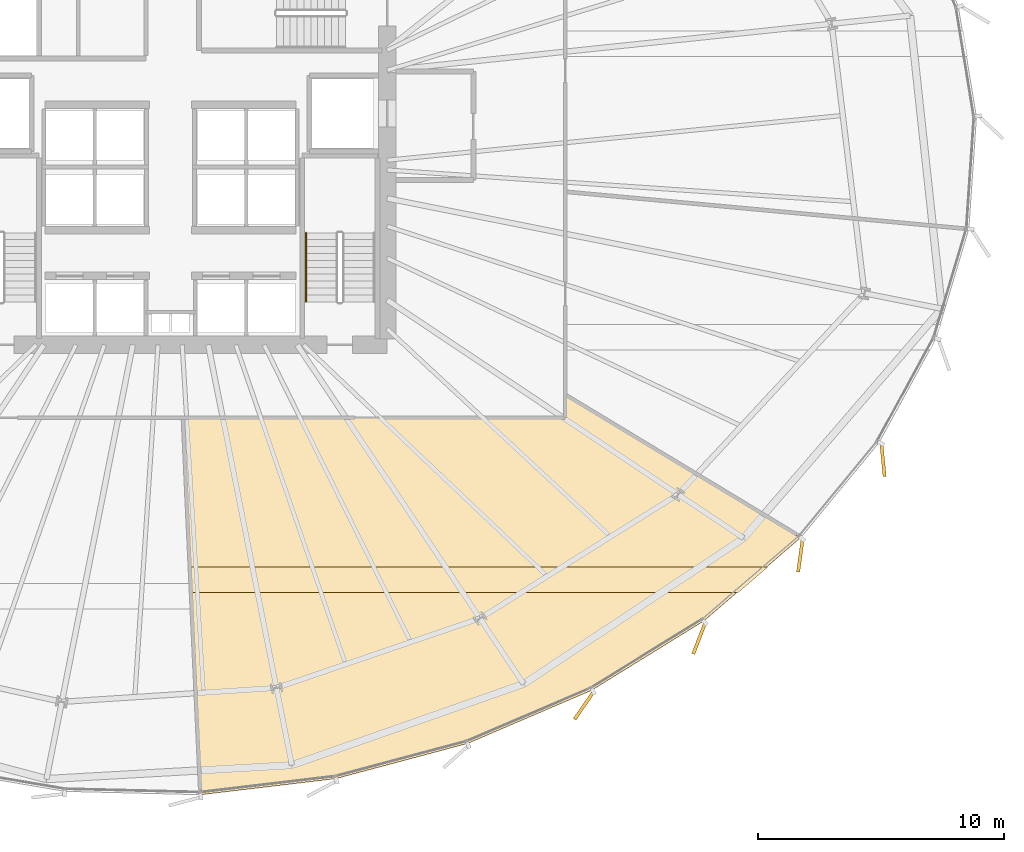
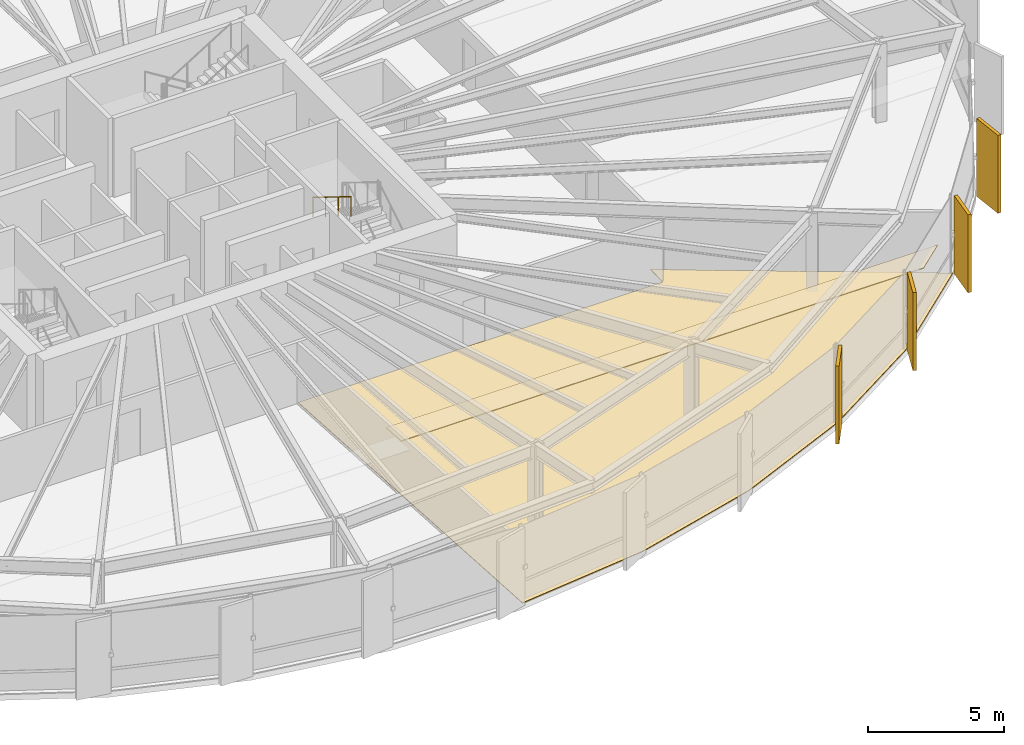
# One storey, part 35 of 39: 6 coverings, 1 railing.
"""IFC4 building model written with IfcOpenShell, lengths in metres."""

from ifc_helpers import new_model, si_unit, direction, frame, origin, origin_2d, place, context, subcontext, project, spatial, polyline, rectangle, circle, outline, extrude, source, transform, mapped, material, layer, layer_set, type_object, element, save


model = new_model("IFC4")

# Units and contexts
model_context = context("Model", 3, precision=1e-05, world=origin(), true_north=direction((0.0, 1.0)))
body_context = subcontext(model_context, "Body", "Model", "MODEL_VIEW")
ifc_project = project(units=[si_unit("LENGTHUNIT", "METRE"), si_unit("AREAUNIT", "SQUARE_METRE"), si_unit("VOLUMEUNIT", "CUBIC_METRE"), si_unit("PLANEANGLEUNIT", "RADIAN"), si_unit("MASSUNIT", "GRAM", prefix="KILO"), si_unit("THERMODYNAMICTEMPERATUREUNIT", "KELVIN")], contexts=[model_context])

# Site, building, storey
site_placement = place(None, origin())
site = spatial("IfcSite", under=ifc_project, at=site_placement, CompositionType="ELEMENT")
building_placement = place(site_placement, origin())
building = spatial("IfcBuilding", under=site, at=building_placement, Name="Kethvar Cultural Tower", CompositionType="ELEMENT")
storey_placement = place(building_placement, frame((0.0, 0.0, 41.0)))
storey = spatial("IfcBuildingStorey", under=building, at=storey_placement, Name="L09", CompositionType="ELEMENT", Elevation=41.0)

# Coverings
ifc_material_1 = material(Name="Acoustic Mineral Fibre Ceiling")
ifc_layer_1 = layer(ifc_material_1, 0.0400390625, Name="Acoustic Mineral Fibre Ceiling")
ifc_layer_set_1 = layer_set([ifc_layer_1], Name="Acoustic Mineral Fibre Ceiling (40 mm)")
covering_type_1 = type_object("IfcCoveringType", Name="CV-ACOUSTIC-CEIL", PredefinedType="CEILING", material=ifc_layer_set_1)
covering_1_placement = place(storey_placement, frame((0.0, 0.0, 2.449951171875)))
element("IfcCovering", 1, at=covering_1_placement, inside=storey, type_object=covering_type_1, Name="L09 Room 02 Acoustic Ceiling Panel", PredefinedType="CEILING", context=body_context, shape_type="SweptSolid", body=[
    extrude(outline(polyline([(69.861083984375, 10.03564453125), (47.61767578125, 10.03564453125), (47.569091796875, 11.065673828125), (71.05810546875, 11.065673828125), (69.861083984375, 10.03564453125)])), origin(), (0.0, 0.0, 1.0), 0.0400390625),
])
ifc_material_2 = material(Name="Honed Warm Limestone", Category="masonry")
ifc_layer_2 = layer(ifc_material_2, 0.030029296875, Name="Honed Warm Limestone", Category="masonry")
ifc_layer_set_2 = layer_set([ifc_layer_2], Name="Honed Warm Limestone (30 mm)")
covering_type_2 = type_object("IfcCoveringType", Name="CV-STONE-FLOOR", PredefinedType="FLOORING", material=ifc_layer_set_2)
covering_2_placement = place(storey_placement, origin())
element("IfcCovering", 2, at=covering_2_placement, inside=storey, type_object=covering_type_2, Name="L09 Room 02 Floor Finish", PredefinedType="FLOORING", context=body_context, shape_type="SweptSolid", body=[
    extrude(outline(polyline([(72.3837890625, 12.259033203125), (68.457275390625, 8.880615234375), (63.892578125, 6.06201171875), (58.862548828125, 3.90673828125), (53.52294921875, 2.47998046875), (48.044921875, 1.82763671875), (47.32373046875, 17.1201171875), (62.83203125, 17.1201171875), (62.85009765625, 18.04150390625), (72.3837890625, 12.259033203125)])), origin(), (0.0, 0.0, 1.0), 0.030029296875),
])

# Railing
ifc_material_3 = material(Name="Steel S355J2", Category="steel")
railing_type = type_object("IfcRailingType", Name="RL-STAIR-HANDRAIL", PredefinedType="HANDRAIL", material=ifc_material_3)
railing_placement = place(storey_placement, frame((52.300048828125, 24.64990234375, 2.07275390625)))
element("IfcRailing", 3, at=railing_placement, inside=storey, type_object=railing_type, Name="L09 ST-02 stair handrail 2", PredefinedType="HANDRAIL", context=body_context, shape_type="SweptSolid", body=[
    extrude(circle(Radius=0.02392578125, at=origin_2d()), frame((0.0, 0.0, 0.8759765625), z_axis=(0.0, -0.851069175582, 0.525053576669), x_axis=(1.0, 0.0, 0.0)), (0.0, 0.0, 1.0), 3.289794921875),
    extrude(circle(Radius=0.02099609375, at=origin_2d()), origin(), (0.0, 0.0, 1.0), 0.851806640625),
    extrude(circle(Radius=0.02099609375, at=origin_2d()), frame((0.0, -0.933349609375, 0.57568359375)), (0.0, 0.0, 1.0), 0.851806640625),
    extrude(circle(Radius=0.02099609375, at=origin_2d()), frame((0.0, -1.866455078125, 1.151611328125)), (0.0, 0.0, 1.0), 0.851806640625),
    extrude(circle(Radius=0.02099609375, at=origin_2d()), frame((0.0, -2.7998046875, 1.727294921875)), (0.0, 0.0, 1.0), 0.851806640625),
])

# Coverings
ifc_material_4 = material(Name="Extruded Architectural Terracotta", Category="masonry")
ifc_layer_3 = layer(ifc_material_4, 0.135009765625, Name="Extruded Architectural Terracotta", Category="masonry")
ifc_layer_set_3 = layer_set([ifc_layer_3], Name="Extruded Architectural Terracotta (135 mm)")
covering_type_3 = type_object("IfcCoveringType", Name="Terracotta Facade Fin FIN-01", PredefinedType="CLADDING", material=ifc_layer_set_3)
shared_shape = source(origin(), body_context, "Body", "SweptSolid", [
    extrude(rectangle(XDim=1.35009765625, YDim=0.135009765625, at=origin_2d()), origin(), (0.0, 0.0, 1.0), 3.510009765625),
])
for number, where, z_axis, x_axis, name in (
    (4, (63.59716796875, 5.4423828125, 0.02001953125), (0.0, 0.0, 1.0), (-0.567125206934, -0.823631592194, 0.0), "L09 Vertical Terracotta Fin 6.1"),
    (5, (68.278076171875, 8.174072265625, 0.02001953125), (0.0, 0.0, 1.0), (-0.360159633746, -0.93289068932, 0.0), "L09 Vertical Terracotta Fin 6.2"),
    (6, (72.38818359375, 11.5419921875, 0.02001953125), (0.0, 0.0, 1.0), (-0.135369727936, -0.990795153782, 0.0), "L09 Vertical Terracotta Fin 6.3"),
    (7, (75.7431640625, 15.422119140625, 0.02001953125), (0.0, 0.0, 1.0), (0.098451362239, -0.995141863893, 0.0), "L09 Vertical Terracotta Fin 6.4"),
):
    element("IfcCovering", number, at=place(storey_placement, frame(where, z_axis=z_axis, x_axis=x_axis)), inside=storey, type_object=covering_type_3, Name=name, PredefinedType="CLADDING", context=body_context, shape_type="MappedRepresentation", body=[
        mapped(shared_shape, transform((0.0, 0.0, 0.0), scale=1.0)),
    ])

save(model, "model.ifc")
